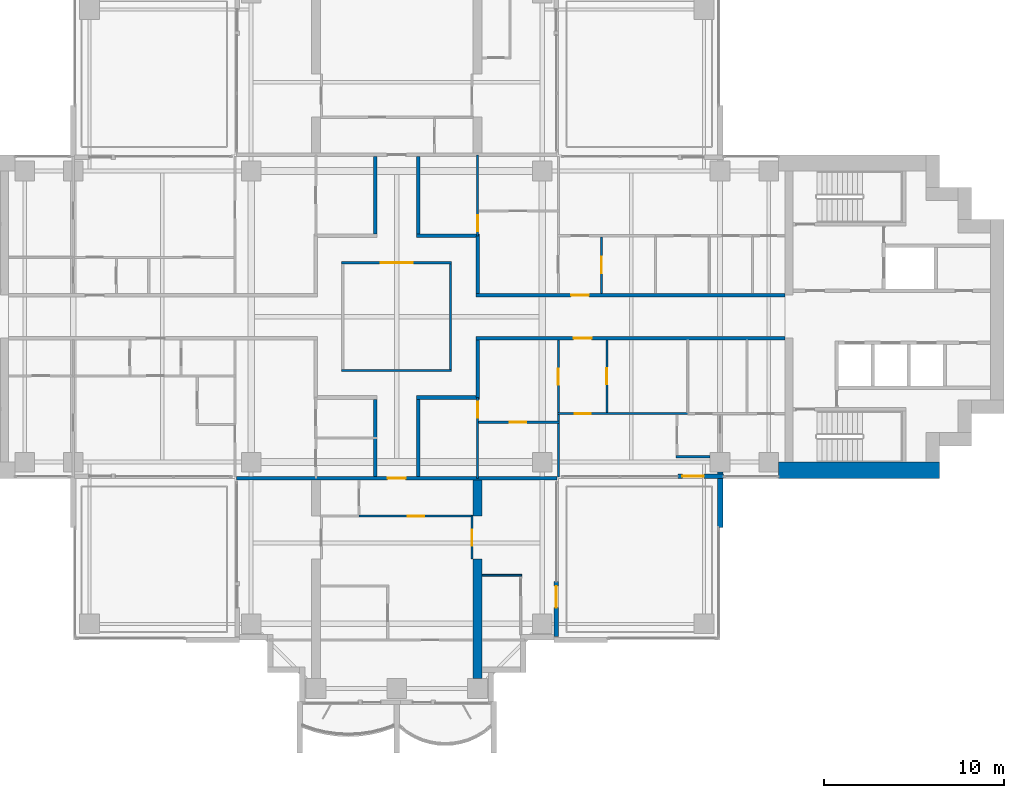
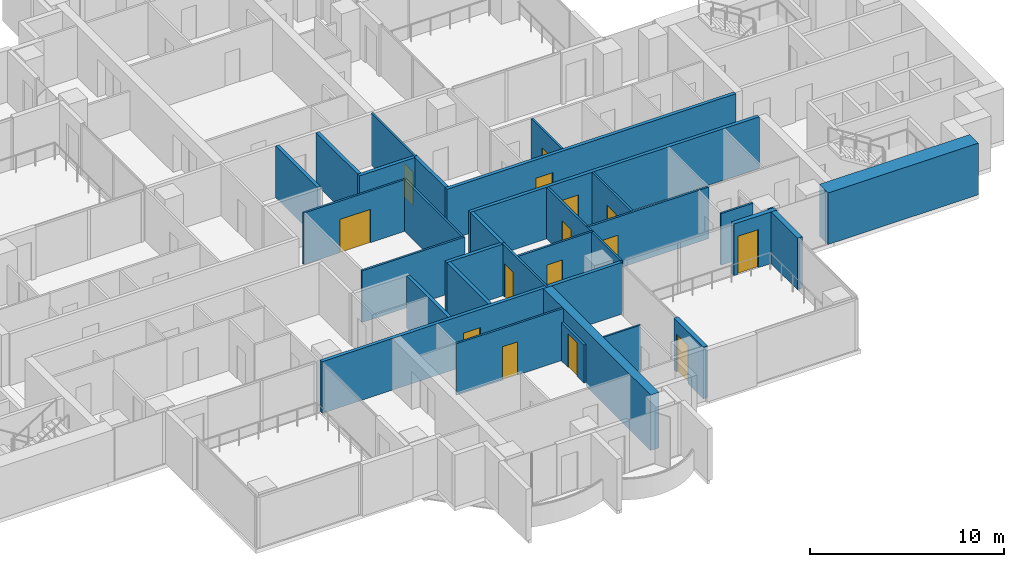
# One storey, part 11 of 19: 30 walls, 15 doors, 15 openings.
"""IFC4 building model written with IfcOpenShell, lengths in metres."""

from ifc_helpers import new_model, si_unit, direction, frame, frame_2d, origin, place, context, subcontext, project, spatial, polyline, rectangle, outline, extrude, material, layer, layer_set, material_profile, profile_set, type_object, element, fill, save


model = new_model("IFC4")

# Units and contexts
model_context = context("Model", 3, precision=1e-05, world=origin(), true_north=direction((0.0, 1.0)))
body_context = subcontext(model_context, "Body", "Model", "MODEL_VIEW")
ifc_project = project(units=[si_unit("LENGTHUNIT", "METRE"), si_unit("AREAUNIT", "SQUARE_METRE"), si_unit("VOLUMEUNIT", "CUBIC_METRE"), si_unit("PLANEANGLEUNIT", "RADIAN"), si_unit("MASSUNIT", "GRAM", prefix="KILO")], contexts=[model_context])

# Site, building, storey
site_placement = place(None, origin())
site = spatial("IfcSite", under=ifc_project, at=site_placement, CompositionType="ELEMENT")
building_placement = place(site_placement, origin())
building = spatial("IfcBuilding", under=site, at=building_placement, Name="Perihelion Cross Residences", CompositionType="ELEMENT")
storey_placement = place(building_placement, frame((0.0, 0.0, 112.89990234375)))
storey = spatial("IfcBuildingStorey", under=building, at=storey_placement, Name="L26", CompositionType="ELEMENT", Elevation=112.89990234375)

# Wall, opening, door
ifc_material_1 = material(Name="Plasterboard partition")
ifc_layer_1 = layer(ifc_material_1, 0.199951171875)
ifc_layer_set_1 = layer_set([ifc_layer_1], Name="Apartment separation wall 200")
wall_type_1 = type_object("IfcWallType", Name="Apartment separation wall 200", PredefinedType="PARTITIONING", material=ifc_layer_set_1)
wall_1_placement = place(storey_placement, frame((4.39990234375, 1.199951171875, 0.0), z_axis=(0.0, 0.0, 1.0), x_axis=(1.0, 0.0, 0.0)))
wall_1 = element("IfcWall", 1, at=wall_1_placement, inside=storey, type_object=wall_type_1, Name="Partition L26 W005", PredefinedType="PARTITIONING", context=body_context, shape_type="SweptSolid", body=[
    extrude(rectangle(XDim=17.2001953125, YDim=0.199951171875, at=frame_2d((8.60009765625, 0.0))), origin(), (0.0, 0.0, 1.0), 3.25),
])
opening_1_placement = place(wall_1_placement, frame((5.300048828125, 0.0, 0.0)))
opening_1 = element("IfcOpeningElement", 2, at=opening_1_placement, cuts=wall_1, Name="Opening L26.A49", PredefinedType="OPENING", context=body_context, shape_type="SweptSolid", body=[
    extrude(rectangle(XDim=1.0, YDim=2.10009765625, at=frame_2d((0.5, 1.050048828125))), frame((0.0, 0.10986328125, 0.0), z_axis=(0.0, -1.0, 0.0), x_axis=(1.0, 0.0, 0.0)), (0.0, 0.0, 1.0), 0.219970703125),
])
ifc_material_2 = material(Name="Timber door leaf", Category="wood")
door_type_1 = type_object("IfcDoorType", Name="Flat entrance door 1000 x 2100", OperationType="SINGLE_SWING_LEFT", PredefinedType="DOOR", material=ifc_material_2)
door_1_placement = place(opening_1_placement, origin())
door_1 = element("IfcDoor", 3, at=door_1_placement, inside=storey, type_object=door_type_1, Name="Door L26.A49", OperationType="SINGLE_SWING_RIGHT", OverallHeight=2.10009765625, OverallWidth=1.0, PredefinedType="DOOR", context=body_context, shape_type="SweptSolid", body=[
    extrude(rectangle(XDim=1.0, YDim=2.10009765625, at=frame_2d((0.5, 1.050048828125))), frame((0.0, 0.02490234375, 0.0), z_axis=(0.0, -1.0, 0.0), x_axis=(1.0, 0.0, 0.0)), (0.0, 0.0, 1.0), 0.050048828125),
])
fill(opening_1, door_1)

# Walls
wall_2_placement = place(storey_placement, frame((4.5, 4.5, 0.0), z_axis=(0.0, 0.0, 1.0), x_axis=(0.0, -1.0, 0.0)))
element("IfcWall", 4, at=wall_2_placement, inside=storey, type_object=wall_type_1, Name="Partition L26 W006", PredefinedType="PARTITIONING", context=body_context, shape_type="SweptSolid", body=[
    extrude(rectangle(XDim=3.199951171875, YDim=0.199951171875, at=frame_2d((1.60009765625, 0.0))), origin(), (0.0, 0.0, 1.0), 3.25),
])
wall_3_placement = place(storey_placement, frame((1.199951171875, 8.89990234375, 0.0), z_axis=(0.0, 0.0, 1.0), x_axis=(0.0, -1.0, 0.0)))
element("IfcWall", 5, at=wall_3_placement, inside=storey, type_object=wall_type_1, Name="Partition L26 W007", PredefinedType="PARTITIONING", context=body_context, shape_type="SweptSolid", body=[
    extrude(rectangle(XDim=4.2998046875, YDim=0.199951171875, at=frame_2d((2.14990234375, 0.0))), origin(), (0.0, 0.0, 1.0), 3.25),
])
wall_4_placement = place(storey_placement, frame((1.10009765625, 4.5, 0.0), z_axis=(0.0, 0.0, 1.0), x_axis=(1.0, 0.0, 0.0)))
element("IfcWall", 6, at=wall_4_placement, inside=storey, type_object=wall_type_1, Name="Partition L26 W008", PredefinedType="PARTITIONING", context=body_context, shape_type="SweptSolid", body=[
    extrude(rectangle(XDim=3.5, YDim=0.199951171875, at=frame_2d((1.75, 0.0))), origin(), (0.0, 0.0, 1.0), 3.25),
])

# Wall, opening, door
wall_5_placement = place(storey_placement, frame((21.60009765625, -1.199951171875, 0.0), z_axis=(0.0, 0.0, 1.0), x_axis=(-1.0, 0.0, 0.0)))
wall_5 = element("IfcWall", 7, at=wall_5_placement, inside=storey, type_object=wall_type_1, Name="Partition L26 W009", PredefinedType="PARTITIONING", context=body_context, shape_type="SweptSolid", body=[
    extrude(rectangle(XDim=17.2001953125, YDim=0.199951171875, at=frame_2d((8.60009765625, 0.0))), origin(), (0.0, 0.0, 1.0), 3.25),
])
opening_2_placement = place(wall_5_placement, frame((10.75, 0.0, 0.0)))
opening_2 = element("IfcOpeningElement", 8, at=opening_2_placement, cuts=wall_5, Name="Opening L26.A50", PredefinedType="OPENING", context=body_context, shape_type="SweptSolid", body=[
    extrude(rectangle(XDim=1.0, YDim=2.10009765625, at=frame_2d((0.5, 1.050048828125))), frame((0.0, 0.10986328125, 0.0), z_axis=(0.0, -1.0, 0.0), x_axis=(1.0, 0.0, 0.0)), (0.0, 0.0, 1.0), 0.219970703125),
])
door_2_placement = place(opening_2_placement, origin())
door_2 = element("IfcDoor", 9, at=door_2_placement, inside=storey, type_object=door_type_1, Name="Door L26.A50", OperationType="SINGLE_SWING_RIGHT", OverallHeight=2.10009765625, OverallWidth=1.0, PredefinedType="DOOR", context=body_context, shape_type="SweptSolid", body=[
    extrude(rectangle(XDim=1.0, YDim=2.10009765625, at=frame_2d((0.5, 1.050048828125))), frame((0.0, 0.02490234375, 0.0), z_axis=(0.0, -1.0, 0.0), x_axis=(1.0, 0.0, 0.0)), (0.0, 0.0, 1.0), 0.050048828125),
])
fill(opening_2, door_2)

# Walls
wall_6_placement = place(storey_placement, frame((4.5, -1.300048828125, 0.0), z_axis=(0.0, 0.0, 1.0), x_axis=(0.0, -1.0, 0.0)))
element("IfcWall", 10, at=wall_6_placement, inside=storey, type_object=wall_type_1, Name="Partition L26 W010", PredefinedType="PARTITIONING", context=body_context, shape_type="SweptSolid", body=[
    extrude(rectangle(XDim=3.199951171875, YDim=0.199951171875, at=frame_2d((1.60009765625, 0.0))), origin(), (0.0, 0.0, 1.0), 3.25),
])
wall_7_placement = place(storey_placement, frame((4.60009765625, -4.5, 0.0), z_axis=(0.0, 0.0, 1.0), x_axis=(-1.0, 0.0, 0.0)))
element("IfcWall", 11, at=wall_7_placement, inside=storey, type_object=wall_type_1, Name="Partition L26 W011", PredefinedType="PARTITIONING", context=body_context, shape_type="SweptSolid", body=[
    extrude(rectangle(XDim=3.5, YDim=0.199951171875, at=frame_2d((1.75, 0.0))), origin(), (0.0, 0.0, 1.0), 3.25),
])
for number, where, z_axis, x_axis, name in (
    (12, (1.199951171875, -4.60009765625, 0.0), (0.0, 0.0, 1.0), (0.0, -1.0, 0.0), "Partition L26 W012"),
    (13, (-1.199951171875, 4.60009765625, 0.0), (0.0, 0.0, 1.0), (0.0, 1.0, 0.0), "Partition L26 W016"),
    (14, (-1.199951171875, -8.89990234375, 0.0), (0.0, 0.0, 1.0), (0.0, 1.0, 0.0), "Partition L26 W019"),
):
    element("IfcWall", number, at=place(storey_placement, frame(where, z_axis=z_axis, x_axis=x_axis)), inside=storey, type_object=wall_type_1, Name=name, PredefinedType="PARTITIONING", context=body_context, shape_type="SweptSolid", body=[
        extrude(rectangle(XDim=4.2998046875, YDim=0.199951171875, at=frame_2d((2.14990234375, 0.0))), origin(), (0.0, 0.0, 1.0), 3.25),
    ])

# Wall, opening, door
wall_8_placement = place(storey_placement, frame((8.919921875, -9.0, 0.0), z_axis=(0.0, 0.0, 1.0), x_axis=(-1.0, 0.0, 0.0)))
wall_8 = element("IfcWall", 15, at=wall_8_placement, inside=storey, type_object=wall_type_1, Name="Partition L26 W022", PredefinedType="PARTITIONING", context=body_context, shape_type="SweptSolid", body=[
    extrude(rectangle(XDim=17.83984375, YDim=0.199951171875, at=frame_2d((8.919921875, 0.0))), origin(), (0.0, 0.0, 1.0), 3.25),
])
opening_3_placement = place(wall_8_placement, frame((8.419921875, 0.0, 0.0)))
opening_3 = element("IfcOpeningElement", 16, at=opening_3_placement, cuts=wall_8, Name="Opening L26.A43", PredefinedType="OPENING", context=body_context, shape_type="SweptSolid", body=[
    extrude(rectangle(XDim=1.0, YDim=2.10009765625, at=frame_2d((0.5, 1.050048828125))), frame((0.0, 0.10986328125, 0.0), z_axis=(0.0, -1.0, 0.0), x_axis=(1.0, 0.0, 0.0)), (0.0, 0.0, 1.0), 0.219970703125),
])
door_3_placement = place(opening_3_placement, origin())
door_3 = element("IfcDoor", 17, at=door_3_placement, inside=storey, type_object=door_type_1, Name="Door L26.A43", OperationType="SINGLE_SWING_LEFT", OverallHeight=2.10009765625, OverallWidth=1.0, PredefinedType="DOOR", context=body_context, shape_type="SweptSolid", body=[
    extrude(rectangle(XDim=1.0, YDim=2.10009765625, at=frame_2d((0.5, 1.050048828125))), frame((0.0, 0.02490234375, 0.0), z_axis=(0.0, -1.0, 0.0), x_axis=(1.0, 0.0, 0.0)), (0.0, 0.0, 1.0), 0.050048828125),
])
fill(opening_3, door_3)

ifc_material_3 = material(Name="Concrete C30/37, bronze-clad", Category="concrete")
ifc_layer_2 = layer(ifc_material_3, 0.25)
ifc_layer_set_2 = layer_set([ifc_layer_2], Name="Bronze-clad pier wall 250")
wall_type_2 = type_object("IfcWallType", Name="Bronze-clad pier wall 250", PredefinedType="SOLIDWALL", material=ifc_layer_set_2)
wall_9_placement = place(storey_placement, frame((8.875, -17.800048828125, 0.0), z_axis=(0.0, 0.0, 1.0), x_axis=(0.0, 1.0, 0.0)))
wall_9 = element("IfcWall", 18, at=wall_9_placement, inside=storey, type_object=wall_type_2, Name="Wall FW1 L26 south side east bay 1 pier", PredefinedType="SOLIDWALL", context=body_context, shape_type="SweptSolid", body=[
    extrude(rectangle(XDim=3.050048828125, YDim=0.25, at=frame_2d((1.52490234375, 0.0))), origin(), (0.0, 0.0, 1.0), 3.25),
])
opening_4_placement = place(wall_9_placement, frame((1.60009765625, 0.0, 0.0)))
opening_4 = element("IfcOpeningElement", 19, at=opening_4_placement, cuts=wall_9, Name="Opening L26.E13", PredefinedType="OPENING", context=body_context, shape_type="SweptSolid", body=[
    extrude(rectangle(XDim=1.199951171875, YDim=2.39990234375, at=frame_2d((0.60009765625, 1.199951171875))), frame((0.0, 0.135009765625, 0.0), z_axis=(0.0, -1.0, 0.0), x_axis=(1.0, 0.0, 0.0)), (0.0, 0.0, 1.0), 0.27001953125),
])
ifc_material_4 = material(Name="Bronze anodised aluminium, glazed", Category="aluminium")
door_type_2 = type_object("IfcDoorType", Name="Balcony door 1200 x 2400", OperationType="NOTDEFINED", PredefinedType="DOOR", material=ifc_material_4)
door_4_placement = place(opening_4_placement, origin())
door_4 = element("IfcDoor", 20, at=door_4_placement, inside=storey, type_object=door_type_2, Name="Door L26.E13 south side east bay 1", OperationType="SINGLE_SWING_RIGHT", OverallHeight=2.39990234375, OverallWidth=1.199951171875, PredefinedType="DOOR", context=body_context, shape_type="SweptSolid", body=[
    extrude(rectangle(XDim=1.199951171875, YDim=2.39990234375, at=frame_2d((0.60009765625, 1.199951171875))), frame((0.0, 0.02490234375, 0.0), z_axis=(0.0, -1.0, 0.0), x_axis=(1.0, 0.0, 0.0)), (0.0, 0.0, 1.0), 0.050048828125),
])
fill(opening_4, door_4)

wall_10_placement = place(storey_placement, frame((15.64990234375, -8.875, 0.0), z_axis=(0.0, 0.0, 1.0), x_axis=(1.0, 0.0, 0.0)))
wall_10 = element("IfcWall", 21, at=wall_10_placement, inside=storey, type_object=wall_type_2, Name="Wall FW1 L26 east side south bay 1 pier", PredefinedType="SOLIDWALL", context=body_context, shape_type="SweptSolid", body=[
    extrude(rectangle(XDim=2.550048828125, YDim=0.25, at=frame_2d((1.27490234375, 0.0))), origin(), (0.0, 0.0, 1.0), 3.25),
])
opening_5_placement = place(wall_10_placement, frame((0.25, 0.0, 0.0)))
opening_5 = element("IfcOpeningElement", 22, at=opening_5_placement, cuts=wall_10, Name="Opening L26.E14", PredefinedType="OPENING", context=body_context, shape_type="SweptSolid", body=[
    extrude(rectangle(XDim=1.199951171875, YDim=2.39990234375, at=frame_2d((0.60009765625, 1.199951171875))), frame((0.0, 0.135009765625, 0.0), z_axis=(0.0, -1.0, 0.0), x_axis=(1.0, 0.0, 0.0)), (0.0, 0.0, 1.0), 0.27001953125),
])
door_5_placement = place(opening_5_placement, origin())
door_5 = element("IfcDoor", 23, at=door_5_placement, inside=storey, type_object=door_type_2, Name="Door L26.E14 east side south bay 1", OperationType="SINGLE_SWING_LEFT", OverallHeight=2.39990234375, OverallWidth=1.199951171875, PredefinedType="DOOR", context=body_context, shape_type="SweptSolid", body=[
    extrude(rectangle(XDim=1.199951171875, YDim=2.39990234375, at=frame_2d((0.60009765625, 1.199951171875))), frame((0.0, 0.02490234375, 0.0), z_axis=(0.0, -1.0, 0.0), x_axis=(1.0, 0.0, 0.0)), (0.0, 0.0, 1.0), 0.050048828125),
])
fill(opening_5, door_5)

# Wall
ifc_material_5 = material(Name="Concrete C60/75", Category="concrete")
ifc_layer_3 = layer(ifc_material_5, 0.89990234375)
ifc_layer_set_3 = layer_set([ifc_layer_3], Name="Core wall, outer 900")
wall_type_3 = type_object("IfcWallType", Name="Core wall, outer 900", PredefinedType="SHEAR", material=ifc_layer_set_3)
wall_11_placement = place(storey_placement, frame((21.25, -8.550048828125, 0.0), z_axis=(0.0, 0.0, 1.0), x_axis=(1.0, 0.0, 0.0)))
element("IfcWall", 24, at=wall_11_placement, inside=storey, type_object=wall_type_3, Name="East core core wall, outer", PredefinedType="SHEAR", context=body_context, shape_type="SweptSolid", body=[
    extrude(rectangle(XDim=8.949951171875, YDim=0.89990234375, at=frame_2d((4.47509765625, 0.0))), origin(), (0.0, 0.0, 1.0), 3.25),
])

# Wall, opening, door
ifc_material_6 = material(Name="Plasterboard partition")
ifc_layer_4 = layer(ifc_material_6, 0.1201171875)
ifc_layer_set_4 = layer_set([ifc_layer_4], Name="Infill panel 120")
wall_type_4 = type_object("IfcWallType", Name="Infill panel 120", PredefinedType="PARTITIONING", material=ifc_layer_set_4)
wall_12_placement = place(storey_placement, frame((4.18994140625, -11.10009765625, 0.0), z_axis=(0.0, 0.0, 1.0), x_axis=(0.0, -1.0, 0.0)))
wall_12 = element("IfcWall", 25, at=wall_12_placement, inside=storey, type_object=wall_type_4, Name="Partition L26 WI05", PredefinedType="PARTITIONING", context=body_context, shape_type="SweptSolid", body=[
    extrude(rectangle(XDim=2.39990234375, YDim=0.1201171875, at=frame_2d((1.199951171875, 0.0))), origin(), (0.0, 0.0, 1.0), 2.400146484375),
])
opening_6_placement = place(wall_12_placement, frame((0.75, 0.0, 0.0)))
opening_6 = element("IfcOpeningElement", 26, at=opening_6_placement, cuts=wall_12, Name="Opening L26.A57", PredefinedType="OPENING", context=body_context, shape_type="SweptSolid", body=[
    extrude(rectangle(XDim=0.89990234375, YDim=2.10009765625, at=frame_2d((0.449951171875, 1.050048828125))), frame((0.0, 0.070068359375, 0.0), z_axis=(0.0, -1.0, 0.0), x_axis=(1.0, 0.0, 0.0)), (0.0, 0.0, 1.0), 0.14013671875),
])
ifc_material_7 = material(Name="Timber door leaf", Category="wood")
door_type_3 = type_object("IfcDoorType", Name="Interior room door 900 x 2100", OperationType="SINGLE_SWING_LEFT", PredefinedType="DOOR", material=ifc_material_7)
door_6_placement = place(opening_6_placement, origin())
door_6 = element("IfcDoor", 27, at=door_6_placement, inside=storey, type_object=door_type_3, Name="Door L26.A57", OperationType="SINGLE_SWING_RIGHT", OverallHeight=2.10009765625, OverallWidth=0.89990234375, PredefinedType="DOOR", context=body_context, shape_type="SweptSolid", body=[
    extrude(rectangle(XDim=0.89990234375, YDim=2.10009765625, at=frame_2d((0.449951171875, 1.050048828125))), frame((0.0, 0.02490234375, 0.0), z_axis=(0.0, -1.0, 0.0), x_axis=(1.0, 0.0, 0.0)), (0.0, 0.0, 1.0), 0.050048828125),
])
fill(opening_6, door_6)

# Walls
ifc_material_8 = material(Name="Plasterboard partition")
ifc_layer_5 = layer(ifc_material_8, 0.1201171875)
ifc_layer_set_5 = layer_set([ifc_layer_5], Name="Partition wall 120")
wall_type_5 = type_object("IfcWallType", Name="Partition wall 120", PredefinedType="PARTITIONING", material=ifc_layer_set_5)
wall_13_placement = place(storey_placement, frame((-3.06005859375, -3.0, 0.0), z_axis=(0.0, 0.0, 1.0), x_axis=(1.0, 0.0, 0.0)))
element("IfcWall", 28, at=wall_13_placement, inside=storey, type_object=wall_type_5, Name="Partition L26 W001", PredefinedType="PARTITIONING", context=body_context, shape_type="SweptSolid", body=[
    extrude(rectangle(XDim=6.1201171875, YDim=0.1201171875, at=frame_2d((3.06005859375, 0.0))), origin(), (0.0, 0.0, 1.0), 3.25),
])
wall_14_placement = place(storey_placement, frame((3.0, -2.93994140625, 0.0), z_axis=(0.0, 0.0, 1.0), x_axis=(0.0, 1.0, 0.0)))
element("IfcWall", 29, at=wall_14_placement, inside=storey, type_object=wall_type_5, Name="Partition L26 W002", PredefinedType="PARTITIONING", context=body_context, shape_type="SweptSolid", body=[
    extrude(rectangle(XDim=5.8798828125, YDim=0.1201171875, at=frame_2d((2.93994140625, 0.0))), origin(), (0.0, 0.0, 1.0), 3.25),
])

# Wall, opening, door
wall_15_placement = place(storey_placement, frame((3.06005859375, 3.0, 0.0), z_axis=(0.0, 0.0, 1.0), x_axis=(-1.0, 0.0, 0.0)))
wall_15 = element("IfcWall", 30, at=wall_15_placement, inside=storey, type_object=wall_type_5, Name="Partition L26 W003", PredefinedType="PARTITIONING", context=body_context, shape_type="SweptSolid", body=[
    extrude(rectangle(XDim=6.1201171875, YDim=0.1201171875, at=frame_2d((3.06005859375, 0.0))), origin(), (0.0, 0.0, 1.0), 3.25),
])
opening_7_placement = place(wall_15_placement, frame((2.159912109375, 0.0, 0.0)))
opening_7 = element("IfcOpeningElement", 31, at=opening_7_placement, cuts=wall_15, Name="Opening L26.A01", PredefinedType="OPENING", context=body_context, shape_type="SweptSolid", body=[
    extrude(rectangle(XDim=1.800048828125, YDim=2.10009765625, at=frame_2d((0.89990234375, 1.050048828125))), frame((0.0, 0.070068359375, 0.0), z_axis=(0.0, -1.0, 0.0), x_axis=(1.0, 0.0, 0.0)), (0.0, 0.0, 1.0), 0.14013671875),
])
ifc_material_9 = material(Name="Glazed timber door leaf", Category="wood")
door_type_4 = type_object("IfcDoorType", Name="Interior double leaf door 1800 x 2100", OperationType="DOUBLE_DOOR_SINGLE_SWING", PredefinedType="DOOR", material=ifc_material_9)
door_7_placement = place(opening_7_placement, origin())
door_7 = element("IfcDoor", 32, at=door_7_placement, inside=storey, type_object=door_type_4, Name="Door L26.A01", OperationType="SINGLE_SWING_LEFT", OverallHeight=2.10009765625, OverallWidth=1.800048828125, PredefinedType="DOOR", context=body_context, shape_type="SweptSolid", body=[
    extrude(rectangle(XDim=1.800048828125, YDim=2.10009765625, at=frame_2d((0.89990234375, 1.050048828125))), frame((0.0, 0.02490234375, 0.0), z_axis=(0.0, -1.0, 0.0), x_axis=(1.0, 0.0, 0.0)), (0.0, 0.0, 1.0), 0.050048828125),
])
fill(opening_7, door_7)

wall_16_placement = place(storey_placement, frame((11.39990234375, 4.43994140625, 0.0), z_axis=(0.0, 0.0, 1.0), x_axis=(0.0, -1.0, 0.0)))
wall_16 = element("IfcWall", 33, at=wall_16_placement, inside=storey, type_object=wall_type_5, Name="Partition L26 W023", PredefinedType="PARTITIONING", context=body_context, shape_type="SweptSolid", body=[
    extrude(rectangle(XDim=3.139892578125, YDim=0.1201171875, at=frame_2d((1.56982421875, 0.0))), origin(), (0.0, 0.0, 1.0), 3.25),
])
opening_8_placement = place(wall_16_placement, frame((1.1201171875, 0.0, 0.0)))
opening_8 = element("IfcOpeningElement", 34, at=opening_8_placement, cuts=wall_16, Name="Opening L26.A05", PredefinedType="OPENING", context=body_context, shape_type="SweptSolid", body=[
    extrude(rectangle(XDim=0.89990234375, YDim=2.10009765625, at=frame_2d((0.449951171875, 1.050048828125))), frame((0.0, 0.070068359375, 0.0), z_axis=(0.0, -1.0, 0.0), x_axis=(1.0, 0.0, 0.0)), (0.0, 0.0, 1.0), 0.14013671875),
])
door_8_placement = place(opening_8_placement, origin())
door_8 = element("IfcDoor", 35, at=door_8_placement, inside=storey, type_object=door_type_3, Name="Door L26.A05", OperationType="SINGLE_SWING_RIGHT", OverallHeight=2.10009765625, OverallWidth=0.89990234375, PredefinedType="DOOR", context=body_context, shape_type="SweptSolid", body=[
    extrude(rectangle(XDim=0.89990234375, YDim=2.10009765625, at=frame_2d((0.449951171875, 1.050048828125))), frame((0.0, 0.02490234375, 0.0), z_axis=(0.0, -1.0, 0.0), x_axis=(1.0, 0.0, 0.0)), (0.0, 0.0, 1.0), 0.050048828125),
])
fill(opening_8, door_8)

wall_17_placement = place(storey_placement, frame((4.5, 4.5, 0.0), z_axis=(0.0, 0.0, 1.0), x_axis=(0.0, 1.0, 0.0)))
wall_17 = element("IfcWall", 36, at=wall_17_placement, inside=storey, type_object=wall_type_5, Name="Partition L26 W033", PredefinedType="PARTITIONING", context=body_context, shape_type="SweptSolid", body=[
    extrude(rectangle(XDim=4.5, YDim=0.1201171875, at=frame_2d((2.25, 0.0))), origin(), (0.0, 0.0, 1.0), 3.25),
])
opening_9_placement = place(wall_17_placement, frame((0.239990234375, 0.0, 0.0)))
opening_9 = element("IfcOpeningElement", 37, at=opening_9_placement, cuts=wall_17, Name="Opening L26.A03", PredefinedType="OPENING", context=body_context, shape_type="SweptSolid", body=[
    extrude(rectangle(XDim=0.89990234375, YDim=2.10009765625, at=frame_2d((0.449951171875, 1.050048828125))), frame((0.0, 0.070068359375, 0.0), z_axis=(0.0, -1.0, 0.0), x_axis=(1.0, 0.0, 0.0)), (0.0, 0.0, 1.0), 0.14013671875),
])
door_9_placement = place(opening_9_placement, origin())
door_9 = element("IfcDoor", 38, at=door_9_placement, inside=storey, type_object=door_type_3, Name="Door L26.A03", OperationType="SINGLE_SWING_LEFT", OverallHeight=2.10009765625, OverallWidth=0.89990234375, PredefinedType="DOOR", context=body_context, shape_type="SweptSolid", body=[
    extrude(rectangle(XDim=0.89990234375, YDim=2.10009765625, at=frame_2d((0.449951171875, 1.050048828125))), frame((0.0, 0.02490234375, 0.0), z_axis=(0.0, -1.0, 0.0), x_axis=(1.0, 0.0, 0.0)), (0.0, 0.0, 1.0), 0.050048828125),
])
fill(opening_9, door_9)

wall_18_placement = place(storey_placement, frame((11.699951171875, -1.300048828125, 0.0), z_axis=(0.0, 0.0, 1.0), x_axis=(0.0, -1.0, 0.0)))
wall_18 = element("IfcWall", 39, at=wall_18_placement, inside=storey, type_object=wall_type_5, Name="Partition L26 W034", PredefinedType="PARTITIONING", context=body_context, shape_type="SweptSolid", body=[
    extrude(rectangle(XDim=4.0400390625, YDim=0.1201171875, at=frame_2d((2.02001953125, 0.0))), origin(), (0.0, 0.0, 1.0), 3.25),
])
opening_10_placement = place(wall_18_placement, frame((1.570068359375, 0.0, 0.0)))
opening_10 = element("IfcOpeningElement", 40, at=opening_10_placement, cuts=wall_18, Name="Opening L26.A14", PredefinedType="OPENING", context=body_context, shape_type="SweptSolid", body=[
    extrude(rectangle(XDim=0.89990234375, YDim=2.10009765625, at=frame_2d((0.449951171875, 1.050048828125))), frame((0.0, 0.070068359375, 0.0), z_axis=(0.0, -1.0, 0.0), x_axis=(1.0, 0.0, 0.0)), (0.0, 0.0, 1.0), 0.14013671875),
])
door_10_placement = place(opening_10_placement, origin())
door_10 = element("IfcDoor", 41, at=door_10_placement, inside=storey, type_object=door_type_3, Name="Door L26.A14", OperationType="SINGLE_SWING_RIGHT", OverallHeight=2.10009765625, OverallWidth=0.89990234375, PredefinedType="DOOR", context=body_context, shape_type="SweptSolid", body=[
    extrude(rectangle(XDim=0.89990234375, YDim=2.10009765625, at=frame_2d((0.449951171875, 1.050048828125))), frame((0.0, 0.02490234375, 0.0), z_axis=(0.0, -1.0, 0.0), x_axis=(1.0, 0.0, 0.0)), (0.0, 0.0, 1.0), 0.050048828125),
])
fill(opening_10, door_10)

wall_19_placement = place(storey_placement, frame((16.199951171875, -5.39990234375, 0.0), z_axis=(0.0, 0.0, 1.0), x_axis=(-1.0, 0.0, 0.0)))
wall_19 = element("IfcWall", 42, at=wall_19_placement, inside=storey, type_object=wall_type_5, Name="Partition L26 W035", PredefinedType="PARTITIONING", context=body_context, shape_type="SweptSolid", body=[
    extrude(rectangle(XDim=7.260009765625, YDim=0.1201171875, at=frame_2d((3.6298828125, 0.0))), origin(), (0.0, 0.0, 1.0), 3.25),
])
opening_11_placement = place(wall_19_placement, frame((5.39990234375, 0.0, 0.0)))
opening_11 = element("IfcOpeningElement", 43, at=opening_11_placement, cuts=wall_19, Name="Opening L26.A18", PredefinedType="OPENING", context=body_context, shape_type="SweptSolid", body=[
    extrude(rectangle(XDim=0.89990234375, YDim=2.10009765625, at=frame_2d((0.449951171875, 1.050048828125))), frame((0.0, 0.070068359375, 0.0), z_axis=(0.0, -1.0, 0.0), x_axis=(1.0, 0.0, 0.0)), (0.0, 0.0, 1.0), 0.14013671875),
])
door_11_placement = place(opening_11_placement, origin())
door_11 = element("IfcDoor", 44, at=door_11_placement, inside=storey, type_object=door_type_3, Name="Door L26.A18", OperationType="SINGLE_SWING_LEFT", OverallHeight=2.10009765625, OverallWidth=0.89990234375, PredefinedType="DOOR", context=body_context, shape_type="SweptSolid", body=[
    extrude(rectangle(XDim=0.89990234375, YDim=2.10009765625, at=frame_2d((0.449951171875, 1.050048828125))), frame((0.0, 0.02490234375, 0.0), z_axis=(0.0, -1.0, 0.0), x_axis=(1.0, 0.0, 0.0)), (0.0, 0.0, 1.0), 0.050048828125),
])
fill(opening_11, door_11)

wall_20_placement = place(storey_placement, frame((9.0, -8.919921875, 0.0), z_axis=(0.0, 0.0, 1.0), x_axis=(0.0, 1.0, 0.0)))
wall_20 = element("IfcWall", 45, at=wall_20_placement, inside=storey, type_object=wall_type_5, Name="Partition L26 W036", PredefinedType="PARTITIONING", context=body_context, shape_type="SweptSolid", body=[
    extrude(rectangle(XDim=7.619873046875, YDim=0.1201171875, at=frame_2d((3.81005859375, 0.0))), origin(), (0.0, 0.0, 1.0), 3.25),
])
opening_12_placement = place(wall_20_placement, frame((5.1201171875, 0.0, 0.0)))
opening_12 = element("IfcOpeningElement", 46, at=opening_12_placement, cuts=wall_20, Name="Opening L26.A12", PredefinedType="OPENING", context=body_context, shape_type="SweptSolid", body=[
    extrude(rectangle(XDim=0.89990234375, YDim=2.10009765625, at=frame_2d((0.449951171875, 1.050048828125))), frame((0.0, 0.070068359375, 0.0), z_axis=(0.0, -1.0, 0.0), x_axis=(1.0, 0.0, 0.0)), (0.0, 0.0, 1.0), 0.14013671875),
])
door_12_placement = place(opening_12_placement, origin())
door_12 = element("IfcDoor", 47, at=door_12_placement, inside=storey, type_object=door_type_3, Name="Door L26.A12", OperationType="SINGLE_SWING_RIGHT", OverallHeight=2.10009765625, OverallWidth=0.89990234375, PredefinedType="DOOR", context=body_context, shape_type="SweptSolid", body=[
    extrude(rectangle(XDim=0.89990234375, YDim=2.10009765625, at=frame_2d((0.449951171875, 1.050048828125))), frame((0.0, 0.02490234375, 0.0), z_axis=(0.0, -1.0, 0.0), x_axis=(1.0, 0.0, 0.0)), (0.0, 0.0, 1.0), 0.050048828125),
])
fill(opening_12, door_12)

# Wall
wall_21_placement = place(storey_placement, frame((15.5400390625, -7.800048828125, 0.0), z_axis=(0.0, 0.0, 1.0), x_axis=(1.0, 0.0, 0.0)))
element("IfcWall", 48, at=wall_21_placement, inside=storey, type_object=wall_type_5, Name="Partition L26 W041", PredefinedType="PARTITIONING", context=body_context, shape_type="SweptSolid", body=[
    extrude(rectangle(XDim=1.909912109375, YDim=0.1201171875, at=frame_2d((0.955078125, 0.0))), origin(), (0.0, 0.0, 1.0), 3.25),
])

# Wall, opening, door
wall_22_placement = place(storey_placement, frame((9.06005859375, -5.8798828125, 0.0), z_axis=(0.0, 0.0, 1.0), x_axis=(-1.0, 0.0, 0.0)))
wall_22 = element("IfcWall", 49, at=wall_22_placement, inside=storey, type_object=wall_type_5, Name="Partition L26 W043", PredefinedType="PARTITIONING", context=body_context, shape_type="SweptSolid", body=[
    extrude(rectangle(XDim=4.6201171875, YDim=0.1201171875, at=frame_2d((2.31005859375, 0.0))), origin(), (0.0, 0.0, 1.0), 3.25),
])
opening_13_placement = place(wall_22_placement, frame((1.860107421875, 0.0, 0.0)))
opening_13 = element("IfcOpeningElement", 50, at=opening_13_placement, cuts=wall_22, Name="Opening L26.A15", PredefinedType="OPENING", context=body_context, shape_type="SweptSolid", body=[
    extrude(rectangle(XDim=0.89990234375, YDim=2.10009765625, at=frame_2d((0.449951171875, 1.050048828125))), frame((0.0, 0.070068359375, 0.0), z_axis=(0.0, -1.0, 0.0), x_axis=(1.0, 0.0, 0.0)), (0.0, 0.0, 1.0), 0.14013671875),
])
door_13_placement = place(opening_13_placement, origin())
door_13 = element("IfcDoor", 51, at=door_13_placement, inside=storey, type_object=door_type_3, Name="Door L26.A15", OperationType="SINGLE_SWING_LEFT", OverallHeight=2.10009765625, OverallWidth=0.89990234375, PredefinedType="DOOR", context=body_context, shape_type="SweptSolid", body=[
    extrude(rectangle(XDim=0.89990234375, YDim=2.10009765625, at=frame_2d((0.449951171875, 1.050048828125))), frame((0.0, 0.02490234375, 0.0), z_axis=(0.0, -1.0, 0.0), x_axis=(1.0, 0.0, 0.0)), (0.0, 0.0, 1.0), 0.050048828125),
])
fill(opening_13, door_13)

wall_23_placement = place(storey_placement, frame((4.5, -9.0, 0.0), z_axis=(0.0, 0.0, 1.0), x_axis=(0.0, 1.0, 0.0)))
wall_23 = element("IfcWall", 52, at=wall_23_placement, inside=storey, type_object=wall_type_5, Name="Partition L26 W044", PredefinedType="PARTITIONING", context=body_context, shape_type="SweptSolid", body=[
    extrude(rectangle(XDim=4.5, YDim=0.1201171875, at=frame_2d((2.25, 0.0))), origin(), (0.0, 0.0, 1.0), 3.25),
])
opening_14_placement = place(wall_23_placement, frame((3.360107421875, 0.0, 0.0)))
opening_14 = element("IfcOpeningElement", 53, at=opening_14_placement, cuts=wall_23, Name="Opening L26.A10", PredefinedType="OPENING", context=body_context, shape_type="SweptSolid", body=[
    extrude(rectangle(XDim=0.89990234375, YDim=2.10009765625, at=frame_2d((0.449951171875, 1.050048828125))), frame((0.0, 0.070068359375, 0.0), z_axis=(0.0, -1.0, 0.0), x_axis=(1.0, 0.0, 0.0)), (0.0, 0.0, 1.0), 0.14013671875),
])
door_14_placement = place(opening_14_placement, origin())
door_14 = element("IfcDoor", 54, at=door_14_placement, inside=storey, type_object=door_type_3, Name="Door L26.A10", OperationType="SINGLE_SWING_LEFT", OverallHeight=2.10009765625, OverallWidth=0.89990234375, PredefinedType="DOOR", context=body_context, shape_type="SweptSolid", body=[
    extrude(rectangle(XDim=0.89990234375, YDim=2.10009765625, at=frame_2d((0.449951171875, 1.050048828125))), frame((0.0, 0.02490234375, 0.0), z_axis=(0.0, -1.0, 0.0), x_axis=(1.0, 0.0, 0.0)), (0.0, 0.0, 1.0), 0.050048828125),
])
fill(opening_14, door_14)

wall_24_placement = place(storey_placement, frame((4.25, -11.10009765625, 0.0), z_axis=(0.0, 0.0, 1.0), x_axis=(-1.0, 0.0, 0.0)))
wall_24 = element("IfcWall", 55, at=wall_24_placement, inside=storey, type_object=wall_type_5, Name="Partition L26 W083", PredefinedType="PARTITIONING", context=body_context, shape_type="SweptSolid", body=[
    extrude(rectangle(XDim=6.35009765625, YDim=0.1201171875, at=frame_2d((3.175048828125, 0.0))), origin(), (0.0, 0.0, 1.0), 3.25),
])
opening_15_placement = place(wall_24_placement, frame((2.72509765625, 0.0, 0.0)))
opening_15 = element("IfcOpeningElement", 56, at=opening_15_placement, cuts=wall_24, Name="Opening L26.A45", PredefinedType="OPENING", context=body_context, shape_type="SweptSolid", body=[
    extrude(rectangle(XDim=0.89990234375, YDim=2.10009765625, at=frame_2d((0.449951171875, 1.050048828125))), frame((0.0, 0.070068359375, 0.0), z_axis=(0.0, -1.0, 0.0), x_axis=(1.0, 0.0, 0.0)), (0.0, 0.0, 1.0), 0.14013671875),
])
door_15_placement = place(opening_15_placement, origin())
door_15 = element("IfcDoor", 57, at=door_15_placement, inside=storey, type_object=door_type_3, Name="Door L26.A45", OperationType="SINGLE_SWING_RIGHT", OverallHeight=2.10009765625, OverallWidth=0.89990234375, PredefinedType="DOOR", context=body_context, shape_type="SweptSolid", body=[
    extrude(rectangle(XDim=0.89990234375, YDim=2.10009765625, at=frame_2d((0.449951171875, 1.050048828125))), frame((0.0, 0.02490234375, 0.0), z_axis=(0.0, -1.0, 0.0), x_axis=(1.0, 0.0, 0.0)), (0.0, 0.0, 1.0), 0.050048828125),
])
fill(opening_15, door_15)

# Walls
ifc_material_10 = material(Name="Precast concrete C50/60", Category="concrete")
ifc_layer_6 = layer(ifc_material_10, 0.300048828125)
ifc_layer_set_6 = layer_set([ifc_layer_6], Name="Precast concrete C50/60 blade wall 300")
wall_type_6 = type_object("IfcWallType", Name="Precast concrete C50/60 blade wall 300", PredefinedType="SOLIDWALL", material=ifc_layer_set_6)
wall_25_placement = place(storey_placement, frame((18.0, -8.64990234375, 0.0), z_axis=(0.0, 0.0, 1.0), x_axis=(0.0, -1.0, 0.0)))
element("IfcWall", 58, at=wall_25_placement, inside=storey, type_object=wall_type_6, Name="Wall BL1 L26 no. 10", PredefinedType="SOLIDWALL", context=body_context, shape_type="SweptSolid", body=[
    extrude(rectangle(XDim=3.090087890625, YDim=0.300048828125, at=frame_2d((1.544921875, 0.0))), origin(), (0.0, 0.0, 1.0), 3.25),
])
ifc_material_11 = material(Name="Concrete C60/75", Category="concrete")
ifc_material_profile = material_profile(ifc_material_11, outline(polyline([(0.0, 0.0), (6.64990234375, 0.0), (6.64990234375, 2.64990234375), (9.050048828125, 2.64990234375), (9.050048828125, 0.0), (11.14990234375, 0.0), (11.14990234375, 3.5), (0.0, 3.5), (0.0, 0.0)])), Name="Tip spine wall")
ifc_profile_set = profile_set([ifc_material_profile], Name="Concrete C60/75")
wall_type_7 = type_object("IfcWallType", Name="Tip spine wall 500 with 1 door openings 11150 long 3500 high concrete C60/75", PredefinedType="SHEAR", material=ifc_profile_set)
wall_26_placement = place(storey_placement, frame((4.25, -20.14990234375, -0.25), z_axis=(1.0, 0.0, 0.0), x_axis=(0.0, 1.0, 0.0)))
element("IfcWall", 59, at=wall_26_placement, inside=storey, type_object=wall_type_7, Name="Shear wall SW33 L26 south east", PredefinedType="SHEAR", context=body_context, shape_type="SweptSolid", body=[
    extrude(outline(polyline([(0.0, 0.0), (6.64990234375, 0.0), (6.64990234375, 2.64990234375), (9.050048828125, 2.64990234375), (9.050048828125, 0.0), (11.14990234375, 0.0), (11.14990234375, 3.5), (0.0, 3.5), (0.0, 0.0)])), origin(), (0.0, 0.0, 1.0), 0.5),
])
ifc_material_12 = material(Name="Plasterboard partition")
ifc_layer_7 = layer(ifc_material_12, 0.10009765625)
ifc_layer_set_7 = layer_set([ifc_layer_7], Name="Wet room wall 100")
wall_type_8 = type_object("IfcWallType", Name="Wet room wall 100", PredefinedType="PARTITIONING", material=ifc_layer_set_7)
wall_27_placement = place(storey_placement, frame((6.949951171875, -14.39990234375, 0.0), z_axis=(0.0, 0.0, 1.0), x_axis=(-1.0, 0.0, 0.0)))
element("IfcWall", 60, at=wall_27_placement, inside=storey, type_object=wall_type_8, Name="Partition L26 W089", PredefinedType="PARTITIONING", context=body_context, shape_type="SweptSolid", body=[
    extrude(rectangle(XDim=2.199951171875, YDim=0.10009765625, at=frame_2d((1.10009765625, 0.0))), origin(), (0.0, 0.0, 1.0), 3.25),
])

save(model, "model.ifc")
